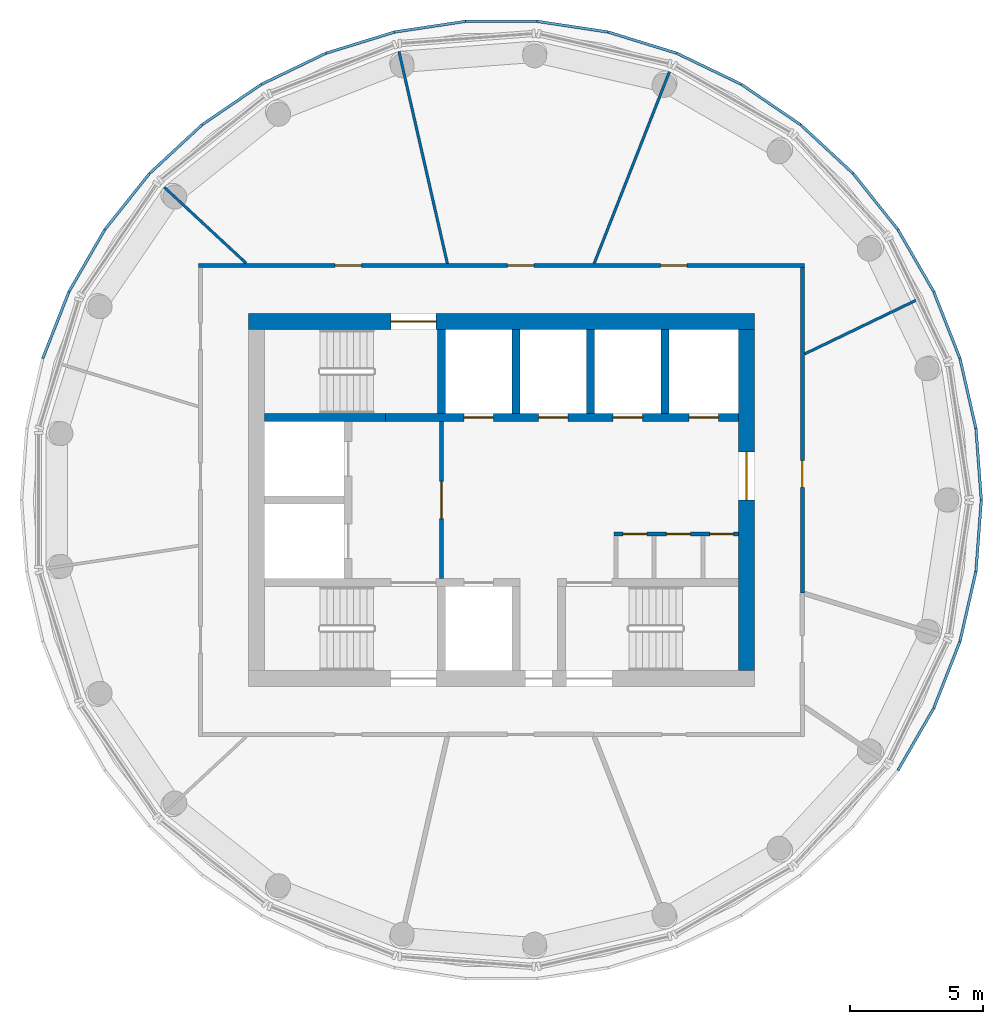
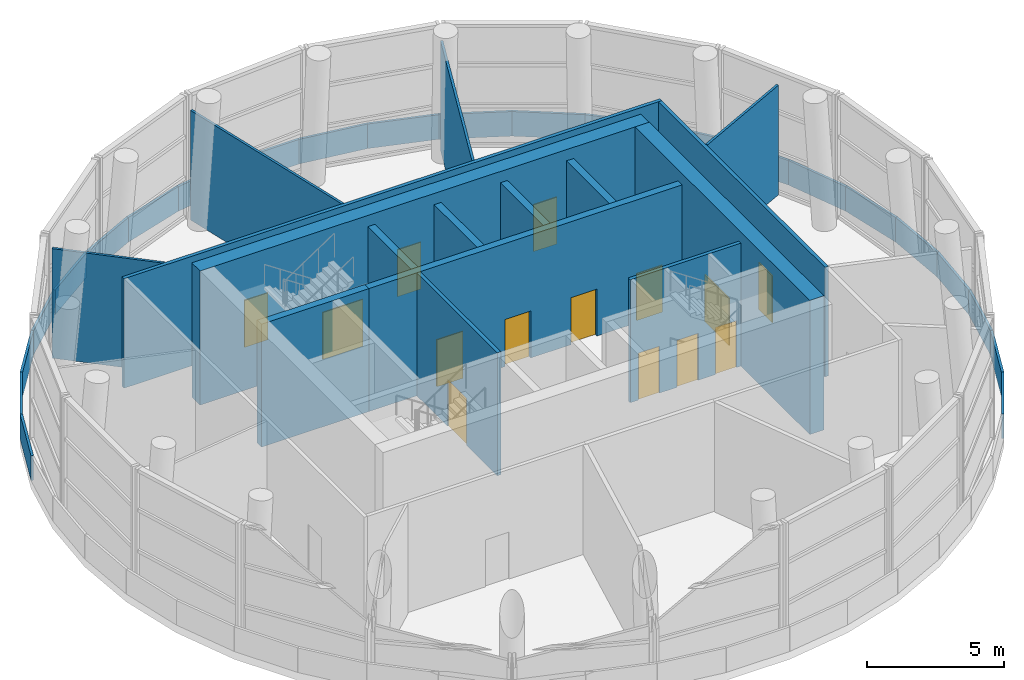
# One storey, part 6 of 10: 39 walls, 14 doors, 14 openings.
"""IFC4 building model written with IfcOpenShell, lengths in metres."""

from ifc_helpers import new_model, si_unit, direction, frame, frame_2d, origin, place, context, subcontext, project, spatial, rectangle, extrude, material, layer, layer_set, type_object, element, fill, save


model = new_model("IFC4")

# Units and contexts
model_context = context("Model", 3, precision=1e-05, world=origin(), true_north=direction((0.0, 1.0)))
body_context = subcontext(model_context, "Body", "Model", "MODEL_VIEW")
ifc_project = project(units=[si_unit("LENGTHUNIT", "METRE"), si_unit("AREAUNIT", "SQUARE_METRE"), si_unit("VOLUMEUNIT", "CUBIC_METRE"), si_unit("PLANEANGLEUNIT", "RADIAN"), si_unit("MASSUNIT", "GRAM", prefix="KILO")], contexts=[model_context])

# Site, building, storey
site_placement = place(None, origin())
site = spatial("IfcSite", under=ifc_project, at=site_placement, CompositionType="ELEMENT")
building_placement = place(site_placement, origin())
building = spatial("IfcBuilding", under=site, at=building_placement, Name="Tracery Tower", CompositionType="ELEMENT")
storey_placement = place(building_placement, frame((0.0, 0.0, 352.199951171875)))
storey = spatial("IfcBuildingStorey", under=building, at=storey_placement, Name="L90", CompositionType="ELEMENT", Elevation=352.199951171875)

# Wall, opening, door
ifc_material_1 = material(Name="Plasterboard on steel studs", Category="steel")
ifc_layer_1 = layer(ifc_material_1, 0.14990234375)
ifc_layer_set_1 = layer_set([ifc_layer_1], Name="Core lobby partition 150")
wall_type_1 = type_object("IfcWallType", Name="Core lobby partition 150", PredefinedType="SOLIDWALL", material=ifc_layer_set_1)
wall_1_placement = place(storey_placement, frame((-2.25, -2.949951171875, 0.0), z_axis=(0.0, 0.0, 1.0), x_axis=(0.0, 1.0, 0.0)))
wall_1 = element("IfcWall", 1, at=wall_1_placement, inside=storey, type_object=wall_type_1, Name="L90 FF lobby E", PredefinedType="SOLIDWALL", context=body_context, shape_type="SweptSolid", body=[
    extrude(rectangle(XDim=5.89990234375, YDim=0.14990234375, at=frame_2d((2.949951171875, 0.0))), origin(), (0.0, 0.0, 1.0), 5.5),
])
opening_1_placement = place(wall_1_placement, frame((2.25, 0.0, 0.0)))
opening_1 = element("IfcOpeningElement", 2, at=opening_1_placement, cuts=wall_1, Name="Opening KD8", PredefinedType="OPENING", context=body_context, shape_type="SweptSolid", body=[
    extrude(rectangle(XDim=1.39990234375, YDim=2.10009765625, at=frame_2d((0.699951171875, 1.050048828125))), frame((0.0, 0.074951171875, 0.0), z_axis=(0.0, -1.0, 0.0), x_axis=(1.0, 0.0, 0.0)), (0.0, 0.0, 1.0), 0.14990234375),
])
ifc_material_2 = material(Name="Steel fire door", Category="steel")
door_type_1 = type_object("IfcDoorType", Name="Core lobby door 1400 double", OperationType="NOTDEFINED", PredefinedType="DOOR", material=ifc_material_2)
door_1_placement = place(opening_1_placement, origin())
door_1 = element("IfcDoor", 3, at=door_1_placement, inside=storey, type_object=door_type_1, Name="Fire-fighting lobby door", OperationType="DOUBLE_DOOR_SINGLE_SWING", OverallHeight=2.10009765625, OverallWidth=1.39990234375, PredefinedType="DOOR", context=body_context, shape_type="SweptSolid", body=[
    extrude(rectangle(XDim=1.39990234375, YDim=2.10009765625, at=frame_2d((0.699951171875, 1.050048828125))), frame((0.0, 0.02490234375, 0.0), z_axis=(0.0, -1.0, 0.0), x_axis=(1.0, 0.0, 0.0)), (0.0, 0.0, 1.0), 0.050048828125),
])
fill(opening_1, door_1)

# Wall, openings, doors
ifc_material_3 = material(Name="Plasterboard on steel studs", Category="steel")
ifc_layer_2 = layer(ifc_material_3, 0.14990234375)
ifc_layer_set_2 = layer_set([ifc_layer_2], Name="Core room partition 150")
wall_type_2 = type_object("IfcWallType", Name="Core room partition 150", PredefinedType="SOLIDWALL", material=ifc_layer_set_2)
wall_2_placement = place(storey_placement, frame((4.22509765625, -1.27490234375, 0.0), z_axis=(0.0, 0.0, 1.0), x_axis=(1.0, 0.0, 0.0)))
wall_2 = element("IfcWall", 4, at=wall_2_placement, inside=storey, type_object=wall_type_2, Name="L90 slot N", PredefinedType="SOLIDWALL", context=body_context, shape_type="SweptSolid", body=[
    extrude(rectangle(XDim=4.6748046875, YDim=0.14990234375, at=frame_2d((2.33740234375, 0.0))), origin(), (0.0, 0.0, 1.0), 5.5),
])
opening_2_placement = place(wall_2_placement, frame((0.33740234375, 0.0, 0.0)))
opening_2 = element("IfcOpeningElement", 5, at=opening_2_placement, cuts=wall_2, Name="Opening KD27", PredefinedType="OPENING", context=body_context, shape_type="SweptSolid", body=[
    extrude(rectangle(XDim=0.89990234375, YDim=2.10009765625, at=frame_2d((0.449951171875, 1.050048828125))), frame((0.0, 0.074951171875, 0.0), z_axis=(0.0, -1.0, 0.0), x_axis=(1.0, 0.0, 0.0)), (0.0, 0.0, 1.0), 0.14990234375),
])
opening_3_placement = place(wall_2_placement, frame((1.97509765625, 0.0, 0.0)))
opening_3 = element("IfcOpeningElement", 6, at=opening_3_placement, cuts=wall_2, Name="Opening KD21", PredefinedType="OPENING", context=body_context, shape_type="SweptSolid", body=[
    extrude(rectangle(XDim=0.89990234375, YDim=2.10009765625, at=frame_2d((0.449951171875, 1.050048828125))), frame((0.0, 0.074951171875, 0.0), z_axis=(0.0, -1.0, 0.0), x_axis=(1.0, 0.0, 0.0)), (0.0, 0.0, 1.0), 0.14990234375),
])
opening_4_placement = place(wall_2_placement, frame((3.60009765625, 0.0, 0.0)))
opening_4 = element("IfcOpeningElement", 7, at=opening_4_placement, cuts=wall_2, Name="Opening KD27", PredefinedType="OPENING", context=body_context, shape_type="SweptSolid", body=[
    extrude(rectangle(XDim=0.89990234375, YDim=2.10009765625, at=frame_2d((0.449951171875, 1.050048828125))), frame((0.0, 0.074951171875, 0.0), z_axis=(0.0, -1.0, 0.0), x_axis=(1.0, 0.0, 0.0)), (0.0, 0.0, 1.0), 0.14990234375),
])
ifc_material_4 = material(Name="Timber door leaf", Category="wood")
door_type_2 = type_object("IfcDoorType", Name="Core WC door 900", OperationType="NOTDEFINED", PredefinedType="DOOR", material=ifc_material_4)
door_2_placement = place(opening_3_placement, origin())
door_2 = element("IfcDoor", 8, at=door_2_placement, inside=storey, type_object=door_type_2, Name="Core door", OperationType="SINGLE_SWING_LEFT", OverallHeight=2.10009765625, OverallWidth=0.89990234375, PredefinedType="DOOR", context=body_context, shape_type="SweptSolid", body=[
    extrude(rectangle(XDim=0.89990234375, YDim=2.10009765625, at=frame_2d((0.449951171875, 1.050048828125))), frame((0.0, 0.02490234375, 0.0), z_axis=(0.0, -1.0, 0.0), x_axis=(1.0, 0.0, 0.0)), (0.0, 0.0, 1.0), 0.050048828125),
])
fill(opening_3, door_2)
ifc_material_5 = material(Name="Timber door leaf", Category="wood")
door_type_3 = type_object("IfcDoorType", Name="Core store door 900", OperationType="NOTDEFINED", PredefinedType="DOOR", material=ifc_material_5)
door_3_placement = place(opening_2_placement, origin())
door_3 = element("IfcDoor", 9, at=door_3_placement, inside=storey, type_object=door_type_3, Name="Core door", OperationType="SINGLE_SWING_RIGHT", OverallHeight=2.10009765625, OverallWidth=0.89990234375, PredefinedType="DOOR", context=body_context, shape_type="SweptSolid", body=[
    extrude(rectangle(XDim=0.89990234375, YDim=2.10009765625, at=frame_2d((0.449951171875, 1.050048828125))), frame((0.0, 0.02490234375, 0.0), z_axis=(0.0, -1.0, 0.0), x_axis=(1.0, 0.0, 0.0)), (0.0, 0.0, 1.0), 0.050048828125),
])
fill(opening_2, door_3)
door_4_placement = place(opening_4_placement, origin())
door_4 = element("IfcDoor", 10, at=door_4_placement, inside=storey, type_object=door_type_3, Name="Core door", OperationType="SINGLE_SWING_RIGHT", OverallHeight=2.10009765625, OverallWidth=0.89990234375, PredefinedType="DOOR", context=body_context, shape_type="SweptSolid", body=[
    extrude(rectangle(XDim=0.89990234375, YDim=2.10009765625, at=frame_2d((0.449951171875, 1.050048828125))), frame((0.0, 0.02490234375, 0.0), z_axis=(0.0, -1.0, 0.0), x_axis=(1.0, 0.0, 0.0)), (0.0, 0.0, 1.0), 0.050048828125),
])
fill(opening_4, door_4)

# Wall, opening, door
ifc_material_6 = material(Name="Concrete C40/50", Category="concrete")
ifc_layer_3 = layer(ifc_material_6, 0.60009765625)
ifc_layer_set_3 = layer_set([ifc_layer_3], Name="Core wall 600 C40")
wall_type_3 = type_object("IfcWallType", Name="Core wall 600 C40", PredefinedType="SOLIDWALL", material=ifc_layer_set_3)
wall_3_placement = place(storey_placement, frame((-9.5, 6.699951171875, 0.0), z_axis=(0.0, 0.0, 1.0), x_axis=(1.0, 0.0, 0.0)))
wall_3 = element("IfcWall", 11, at=wall_3_placement, inside=storey, type_object=wall_type_3, Name="L90 outer N", PredefinedType="SOLIDWALL", context=body_context, shape_type="SweptSolid", body=[
    extrude(rectangle(XDim=19.0, YDim=0.60009765625, at=frame_2d((9.5, 0.0))), origin(), (0.0, 0.0, 1.0), 6.0),
])
opening_5_placement = place(wall_3_placement, frame((5.35009765625, 0.0, 0.0)))
opening_5 = element("IfcOpeningElement", 12, at=opening_5_placement, cuts=wall_3, Name="Opening KD3", PredefinedType="OPENING", context=body_context, shape_type="SweptSolid", body=[
    extrude(rectangle(XDim=1.699951171875, YDim=2.10009765625, at=frame_2d((0.85009765625, 1.050048828125))), frame((0.0, 0.300048828125, 0.0), z_axis=(0.0, -1.0, 0.0), x_axis=(1.0, 0.0, 0.0)), (0.0, 0.0, 1.0), 0.60009765625),
])
ifc_material_7 = material(Name="Steel fire door", Category="steel")
door_type_4 = type_object("IfcDoorType", Name="Core stair door 1700 double", OperationType="NOTDEFINED", PredefinedType="DOOR", material=ifc_material_7)
door_5_placement = place(opening_5_placement, origin())
door_5 = element("IfcDoor", 13, at=door_5_placement, inside=storey, type_object=door_type_4, Name="Stair door ST3 exit", OperationType="DOUBLE_DOOR_SINGLE_SWING", OverallHeight=2.10009765625, OverallWidth=1.699951171875, PredefinedType="DOOR", context=body_context, shape_type="SweptSolid", body=[
    extrude(rectangle(XDim=1.699951171875, YDim=2.10009765625, at=frame_2d((0.85009765625, 1.050048828125))), frame((0.0, 0.02490234375, 0.0), z_axis=(0.0, -1.0, 0.0), x_axis=(1.0, 0.0, 0.0)), (0.0, 0.0, 1.0), 0.050048828125),
])
fill(opening_5, door_5)

wall_4_placement = place(storey_placement, frame((9.199951171875, -6.39990234375, 0.0), z_axis=(0.0, 0.0, 1.0), x_axis=(0.0, 1.0, 0.0)))
wall_4 = element("IfcWall", 14, at=wall_4_placement, inside=storey, type_object=wall_type_3, Name="L90 outer E", PredefinedType="SOLIDWALL", context=body_context, shape_type="SweptSolid", body=[
    extrude(rectangle(XDim=12.7998046875, YDim=0.60009765625, at=frame_2d((6.39990234375, 0.0))), origin(), (0.0, 0.0, 1.0), 6.0),
])
opening_6_placement = place(wall_4_placement, frame((6.39990234375, 0.0, 0.0)))
opening_6 = element("IfcOpeningElement", 15, at=opening_6_placement, cuts=wall_4, Name="Opening KD13", PredefinedType="OPENING", context=body_context, shape_type="SweptSolid", body=[
    extrude(rectangle(XDim=1.800048828125, YDim=2.10009765625, at=frame_2d((0.89990234375, 1.050048828125))), frame((0.0, 0.300048828125, 0.0), z_axis=(0.0, -1.0, 0.0), x_axis=(1.0, 0.0, 0.0)), (0.0, 0.0, 1.0), 0.60009765625),
])
ifc_material_8 = material(Name="Steel fire door", Category="steel")
door_type_5 = type_object("IfcDoorType", Name="Core exit door 1800 double", OperationType="NOTDEFINED", PredefinedType="DOOR", material=ifc_material_8)
door_6_placement = place(opening_6_placement, origin())
door_6 = element("IfcDoor", 16, at=door_6_placement, inside=storey, type_object=door_type_5, Name="Core exit door", OperationType="DOUBLE_DOOR_SINGLE_SWING", OverallHeight=2.10009765625, OverallWidth=1.800048828125, PredefinedType="DOOR", context=body_context, shape_type="SweptSolid", body=[
    extrude(rectangle(XDim=1.800048828125, YDim=2.10009765625, at=frame_2d((0.89990234375, 1.050048828125))), frame((0.0, 0.02490234375, 0.0), z_axis=(0.0, -1.0, 0.0), x_axis=(1.0, 0.0, 0.0)), (0.0, 0.0, 1.0), 0.050048828125),
])
fill(opening_6, door_6)

ifc_material_9 = material(Name="Plasterboard on steel studs", Category="steel")
ifc_layer_4 = layer(ifc_material_9, 0.14990234375)
ifc_layer_set_4 = layer_set([ifc_layer_4], Name="Corridor partition 150")
wall_type_4 = type_object("IfcWallType", Name="Corridor partition 150", PredefinedType="PARTITIONING", material=ifc_layer_set_4)
wall_5_placement = place(storey_placement, frame((11.300048828125, 8.72509765625, 0.0), z_axis=(0.0, 0.0, 1.0), x_axis=(0.0, -1.0, 0.0)))
wall_5 = element("IfcWall", 17, at=wall_5_placement, inside=storey, type_object=wall_type_4, Name="Corridor partition 150", PredefinedType="PARTITIONING", context=body_context, shape_type="SweptSolid", body=[
    extrude(rectangle(XDim=12.210693359375, YDim=0.14990234375, at=frame_2d((6.10546875, 0.0))), origin(), (0.0, 0.0, 1.0), 4.900146484375),
])
opening_7_placement = place(wall_5_placement, frame((7.246826171875, 0.0, 0.0)))
opening_7 = element("IfcOpeningElement", 18, at=opening_7_placement, cuts=wall_5, Name="Opening SB-L90-11", PredefinedType="OPENING", context=body_context, shape_type="SweptSolid", body=[
    extrude(rectangle(XDim=1.0, YDim=2.10009765625, at=frame_2d((0.5, 1.050048828125))), frame((0.0, 0.074951171875, 0.0), z_axis=(0.0, -1.0, 0.0), x_axis=(1.0, 0.0, 0.0)), (0.0, 0.0, 1.0), 0.14990234375),
])
ifc_material_10 = material(Name="Timber door leaf", Category="wood")
door_type_6 = type_object("IfcDoorType", Name="Public room door 1000", OperationType="NOTDEFINED", PredefinedType="DOOR", material=ifc_material_10)
door_7_placement = place(opening_7_placement, origin())
door_7 = element("IfcDoor", 19, at=door_7_placement, inside=storey, type_object=door_type_6, Name="Public room door 1000", OperationType="SINGLE_SWING_RIGHT", OverallHeight=2.10009765625, OverallWidth=1.0, PredefinedType="DOOR", context=body_context, shape_type="SweptSolid", body=[
    extrude(rectangle(XDim=1.0, YDim=2.10009765625, at=frame_2d((0.5, 1.050048828125))), frame((0.0, 0.02490234375, 0.0), z_axis=(0.0, -1.0, 0.0), x_axis=(1.0, 0.0, 0.0)), (0.0, 0.0, 1.0), 0.050048828125),
])
fill(opening_7, door_7)

# Wall, openings, doors
wall_6_placement = place(storey_placement, frame((-11.375, 8.800048828125, 0.0), z_axis=(0.0, 0.0, 1.0), x_axis=(1.0, 0.0, 0.0)))
wall_6 = element("IfcWall", 20, at=wall_6_placement, inside=storey, type_object=wall_type_4, Name="Corridor partition 150", PredefinedType="PARTITIONING", context=body_context, shape_type="SweptSolid", body=[
    extrude(rectangle(XDim=22.75, YDim=0.14990234375, at=frame_2d((11.375, 0.0))), origin(), (0.0, 0.0, 1.0), 4.900146484375),
])
opening_8_placement = place(wall_6_placement, frame((17.351806640625, 0.0, 0.0)))
opening_8 = element("IfcOpeningElement", 21, at=opening_8_placement, cuts=wall_6, Name="Opening SB-L90-01", PredefinedType="OPENING", context=body_context, shape_type="SweptSolid", body=[
    extrude(rectangle(XDim=1.0, YDim=2.10009765625, at=frame_2d((0.5, 1.050048828125))), frame((0.0, 0.074951171875, 0.0), z_axis=(0.0, -1.0, 0.0), x_axis=(1.0, 0.0, 0.0)), (0.0, 0.0, 1.0), 0.14990234375),
])
opening_9_placement = place(wall_6_placement, frame((11.59765625, 0.0, 0.0)))
opening_9 = element("IfcOpeningElement", 22, at=opening_9_placement, cuts=wall_6, Name="Opening SB-L90-02", PredefinedType="OPENING", context=body_context, shape_type="SweptSolid", body=[
    extrude(rectangle(XDim=1.0, YDim=2.10009765625, at=frame_2d((0.5, 1.050048828125))), frame((0.0, 0.074951171875, 0.0), z_axis=(0.0, -1.0, 0.0), x_axis=(1.0, 0.0, 0.0)), (0.0, 0.0, 1.0), 0.14990234375),
])
opening_10_placement = place(wall_6_placement, frame((5.128662109375, 0.0, 0.0)))
opening_10 = element("IfcOpeningElement", 23, at=opening_10_placement, cuts=wall_6, Name="Opening SB-L90-03", PredefinedType="OPENING", context=body_context, shape_type="SweptSolid", body=[
    extrude(rectangle(XDim=1.0, YDim=2.10009765625, at=frame_2d((0.5, 1.050048828125))), frame((0.0, 0.074951171875, 0.0), z_axis=(0.0, -1.0, 0.0), x_axis=(1.0, 0.0, 0.0)), (0.0, 0.0, 1.0), 0.14990234375),
])
door_8_placement = place(opening_8_placement, origin())
door_8 = element("IfcDoor", 24, at=door_8_placement, inside=storey, type_object=door_type_6, Name="Public room door 1000", OperationType="SINGLE_SWING_RIGHT", OverallHeight=2.10009765625, OverallWidth=1.0, PredefinedType="DOOR", context=body_context, shape_type="SweptSolid", body=[
    extrude(rectangle(XDim=1.0, YDim=2.10009765625, at=frame_2d((0.5, 1.050048828125))), frame((0.0, 0.02490234375, 0.0), z_axis=(0.0, -1.0, 0.0), x_axis=(1.0, 0.0, 0.0)), (0.0, 0.0, 1.0), 0.050048828125),
])
fill(opening_8, door_8)
door_9_placement = place(opening_9_placement, origin())
door_9 = element("IfcDoor", 25, at=door_9_placement, inside=storey, type_object=door_type_6, Name="Public room door 1000", OperationType="SINGLE_SWING_RIGHT", OverallHeight=2.10009765625, OverallWidth=1.0, PredefinedType="DOOR", context=body_context, shape_type="SweptSolid", body=[
    extrude(rectangle(XDim=1.0, YDim=2.10009765625, at=frame_2d((0.5, 1.050048828125))), frame((0.0, 0.02490234375, 0.0), z_axis=(0.0, -1.0, 0.0), x_axis=(1.0, 0.0, 0.0)), (0.0, 0.0, 1.0), 0.050048828125),
])
fill(opening_9, door_9)
door_10_placement = place(opening_10_placement, origin())
door_10 = element("IfcDoor", 26, at=door_10_placement, inside=storey, type_object=door_type_6, Name="Public room door 1000", OperationType="SINGLE_SWING_RIGHT", OverallHeight=2.10009765625, OverallWidth=1.0, PredefinedType="DOOR", context=body_context, shape_type="SweptSolid", body=[
    extrude(rectangle(XDim=1.0, YDim=2.10009765625, at=frame_2d((0.5, 1.050048828125))), frame((0.0, 0.02490234375, 0.0), z_axis=(0.0, -1.0, 0.0), x_axis=(1.0, 0.0, 0.0)), (0.0, 0.0, 1.0), 0.050048828125),
])
fill(opening_10, door_10)

# Walls
ifc_material_11 = material(Name="Tinted laminated glass", Category="glass")
ifc_layer_5 = layer(ifc_material_11, 0.10009765625)
ifc_layer_set_5 = layer_set([ifc_layer_5], Name="Crown ledge glass parapet 100")
wall_type_5 = type_object("IfcWallType", Name="Crown ledge glass parapet 100", PredefinedType="PARAPET", material=ifc_layer_set_5)
for number, where, z_axis, x_axis, name in (
    (27, (18.021728515625, 0.004638671875, 0.0), (0.0, 0.0, 1.0), (-0.074762815139, 0.9972013445, 0.0), "Crown ledge glass parapet L90 1"),
    (28, (17.819580078125, 2.690673828125, 0.0), (0.0, 0.0, 1.0), (-0.222474094593, 0.974938601777, 0.0), "Crown ledge glass parapet L90 2"),
    (29, (17.2197265625, 5.31640625, 0.0), (0.0, 0.0, 1.0), (-0.365345635432, 0.930871938921, 0.0), "Crown ledge glass parapet L90 3"),
    (30, (16.23486328125, 7.823486328125, 0.0), (0.0, 0.0, 1.0), (-0.49996389635, 0.866046247233, 0.0), "Crown ledge glass parapet L90 4"),
):
    element("IfcWall", number, at=place(storey_placement, frame(where, z_axis=z_axis, x_axis=x_axis)), inside=storey, type_object=wall_type_5, Name=name, PredefinedType="PARAPET", context=body_context, shape_type="SweptSolid", body=[
        extrude(rectangle(XDim=2.684326171875, YDim=0.10009765625, at=frame_2d((1.34228515625, 0.0))), origin(), (0.0, 0.0, 1.0), 1.10009765625),
    ])
for number, where, z_axis, x_axis, name in (
    (31, (14.8876953125, 10.156005859375, 0.0), (0.0, 0.0, 1.0), (-0.623529623129, 0.781799724405, 0.0), "Crown ledge glass parapet L90 5"),
    (32, (13.20751953125, 12.26123046875, 0.0), (0.0, 0.0, 1.0), (-0.733036416864, 0.680189393883, 0.0), "Crown ledge glass parapet L90 6"),
    (33, (11.232666015625, 14.093017578125, 0.0), (0.0, 0.0, 1.0), (-0.826254282611, 0.5632973109, 0.0), "Crown ledge glass parapet L90 7"),
):
    element("IfcWall", number, at=place(storey_placement, frame(where, z_axis=z_axis, x_axis=x_axis)), inside=storey, type_object=wall_type_5, Name=name, PredefinedType="PARAPET", context=body_context, shape_type="SweptSolid", body=[
        extrude(rectangle(XDim=2.68408203125, YDim=0.10009765625, at=frame_2d((1.342041015625, 0.0))), origin(), (0.0, 0.0, 1.0), 1.10009765625),
    ])
wall_7_placement = place(storey_placement, frame((9.0068359375, 15.609619140625, 0.0), z_axis=(0.0, 0.0, 1.0), x_axis=(-0.900985868767, 0.433848434688, 0.0)))
element("IfcWall", 34, at=wall_7_placement, inside=storey, type_object=wall_type_5, Name="Crown ledge glass parapet L90 8", PredefinedType="PARAPET", context=body_context, shape_type="SweptSolid", body=[
    extrude(rectangle(XDim=2.684326171875, YDim=0.10009765625, at=frame_2d((1.34228515625, 0.0))), origin(), (0.0, 0.0, 1.0), 1.10009765625),
])
for number, where, z_axis, x_axis, name in (
    (35, (6.57958984375, 16.777587890625, 0.0), (0.0, 0.0, 1.0), (-0.955556493352, 0.294808052828, 0.0), "Crown ledge glass parapet L90 9"),
    (36, (4.005615234375, 17.57080078125, 0.0), (0.0, 0.0, 1.0), (-0.988824653634, 0.149083212888, 0.0), "Crown ledge glass parapet L90 10"),
    (37, (1.342041015625, 17.9716796875, 0.0), (0.0, 0.0, 1.0), (-1.0, 0.0, 0.0), "Crown ledge glass parapet L90 11"),
    (38, (-1.3515625, 17.970947265625, 0.0), (0.0, 0.0, 1.0), (-0.988824653634, -0.149083212888, 0.0), "Crown ledge glass parapet L90 12"),
    (39, (-4.014892578125, 17.56884765625, 0.0), (0.0, 0.0, 1.0), (-0.955556493352, -0.294808052828, 0.0), "Crown ledge glass parapet L90 13"),
):
    element("IfcWall", number, at=place(storey_placement, frame(where, z_axis=z_axis, x_axis=x_axis)), inside=storey, type_object=wall_type_5, Name=name, PredefinedType="PARAPET", context=body_context, shape_type="SweptSolid", body=[
        extrude(rectangle(XDim=2.68408203125, YDim=0.10009765625, at=frame_2d((1.342041015625, 0.0))), origin(), (0.0, 0.0, 1.0), 1.10009765625),
    ])
wall_8_placement = place(storey_placement, frame((-6.58837890625, 16.774169921875, 0.0), z_axis=(0.0, 0.0, 1.0), x_axis=(-0.900985868767, -0.433848434688, 0.0)))
element("IfcWall", 40, at=wall_8_placement, inside=storey, type_object=wall_type_5, Name="Crown ledge glass parapet L90 14", PredefinedType="PARAPET", context=body_context, shape_type="SweptSolid", body=[
    extrude(rectangle(XDim=2.684326171875, YDim=0.10009765625, at=frame_2d((1.34228515625, 0.0))), origin(), (0.0, 0.0, 1.0), 1.10009765625),
])
for number, where, z_axis, x_axis, name in (
    (41, (-9.014892578125, 15.60498046875, 0.0), (0.0, 0.0, 1.0), (-0.826254282611, -0.5632973109, 0.0), "Crown ledge glass parapet L90 15"),
    (42, (-11.239990234375, 14.0869140625, 0.0), (0.0, 0.0, 1.0), (-0.733036416864, -0.680189393883, 0.0), "Crown ledge glass parapet L90 16"),
    (43, (-13.214111328125, 12.25439453125, 0.0), (0.0, 0.0, 1.0), (-0.623529623129, -0.781799724405, 0.0), "Crown ledge glass parapet L90 17"),
):
    element("IfcWall", number, at=place(storey_placement, frame(where, z_axis=z_axis, x_axis=x_axis)), inside=storey, type_object=wall_type_5, Name=name, PredefinedType="PARAPET", context=body_context, shape_type="SweptSolid", body=[
        extrude(rectangle(XDim=2.68408203125, YDim=0.10009765625, at=frame_2d((1.342041015625, 0.0))), origin(), (0.0, 0.0, 1.0), 1.10009765625),
    ])
for number, where, z_axis, x_axis, name in (
    (44, (-14.892822265625, 10.148193359375, 0.0), (0.0, 0.0, 1.0), (-0.49996389635, -0.866046247233, 0.0), "Crown ledge glass parapet L90 18"),
    (45, (-16.239013671875, 7.815185546875, 0.0), (0.0, 0.0, 1.0), (-0.365345635432, -0.930871938921, 0.0), "Crown ledge glass parapet L90 19"),
    (46, (14.892822265625, -10.148193359375, 0.0), (0.0, 0.0, 1.0), (0.49996389635, 0.866046247233, 0.0), "Crown ledge glass parapet L90 39"),
    (47, (16.239013671875, -7.815185546875, 0.0), (0.0, 0.0, 1.0), (0.365345635432, 0.930871938921, 0.0), "Crown ledge glass parapet L90 40"),
    (48, (17.222412109375, -5.3076171875, 0.0), (0.0, 0.0, 1.0), (0.222474094593, 0.974938601777, 0.0), "Crown ledge glass parapet L90 41"),
    (49, (17.821044921875, -2.681396484375, 0.0), (0.0, 0.0, 1.0), (0.074762815139, 0.9972013445, 0.0), "Crown ledge glass parapet L90 42"),
):
    element("IfcWall", number, at=place(storey_placement, frame(where, z_axis=z_axis, x_axis=x_axis)), inside=storey, type_object=wall_type_5, Name=name, PredefinedType="PARAPET", context=body_context, shape_type="SweptSolid", body=[
        extrude(rectangle(XDim=2.684326171875, YDim=0.10009765625, at=frame_2d((1.34228515625, 0.0))), origin(), (0.0, 0.0, 1.0), 1.10009765625),
    ])
ifc_material_12 = material(Name="Concrete C40/50", Category="concrete")
ifc_layer_6 = layer(ifc_material_12, 0.300048828125)
ifc_layer_set_6 = layer_set([ifc_layer_6], Name="Shaft wall 300 C40")
wall_type_6 = type_object("IfcWallType", Name="Shaft wall 300 C40", PredefinedType="SOLIDWALL", material=ifc_layer_set_6)
for number, where, z_axis, x_axis, name in (
    (50, (0.550048828125, 3.25, 0.0), (0.0, 0.0, 1.0), (0.0, 1.0, 0.0), "L90 HR sep 1"),
    (51, (3.35009765625, 3.25, 0.0), (0.0, 0.0, 1.0), (0.0, 1.0, 0.0), "L90 HR sep 2"),
    (52, (6.14990234375, 3.25, 0.0), (0.0, 0.0, 1.0), (0.0, 1.0, 0.0), "L90 HR sep 3"),
):
    element("IfcWall", number, at=place(storey_placement, frame(where, z_axis=z_axis, x_axis=x_axis)), inside=storey, type_object=wall_type_6, Name=name, PredefinedType="SOLIDWALL", context=body_context, shape_type="SweptSolid", body=[
        extrude(rectangle(XDim=3.14990234375, YDim=0.300048828125, at=frame_2d((1.574951171875, 0.0))), origin(), (0.0, 0.0, 1.0), 5.5),
    ])
ifc_material_13 = material(Name="Concrete C40/50", Category="concrete")
ifc_layer_7 = layer(ifc_material_13, 0.300048828125)
ifc_layer_set_7 = layer_set([ifc_layer_7], Name="Stair wall 300 C40")
wall_type_7 = type_object("IfcWallType", Name="Stair wall 300 C40", PredefinedType="SOLIDWALL", material=ifc_layer_set_7)
wall_9_placement = place(storey_placement, frame((-8.89990234375, 3.10009765625, 0.0), z_axis=(0.0, 0.0, 1.0), x_axis=(1.0, 0.0, 0.0)))
element("IfcWall", 53, at=wall_9_placement, inside=storey, type_object=wall_type_7, Name="L90 row N W", PredefinedType="SOLIDWALL", context=body_context, shape_type="SweptSolid", body=[
    extrude(rectangle(XDim=4.5498046875, YDim=0.300048828125, at=frame_2d((2.27490234375, 0.0))), origin(), (0.0, 0.0, 1.0), 5.5),
])

# Wall, openings, doors
wall_10_placement = place(storey_placement, frame((-4.35009765625, 3.10009765625, 0.0), z_axis=(0.0, 0.0, 1.0), x_axis=(1.0, 0.0, 0.0)))
wall_10 = element("IfcWall", 54, at=wall_10_placement, inside=storey, type_object=wall_type_7, Name="L90 row N", PredefinedType="SOLIDWALL", context=body_context, shape_type="SweptSolid", body=[
    extrude(rectangle(XDim=13.25, YDim=0.300048828125, at=frame_2d((6.625, 0.0))), origin(), (0.0, 0.0, 1.0), 5.5),
])
opening_11_placement = place(wall_10_placement, frame((2.949951171875, 0.0, 0.0)))
opening_11 = element("IfcOpeningElement", 55, at=opening_11_placement, cuts=wall_10, Name="Opening KD49", PredefinedType="OPENING", context=body_context, shape_type="SweptSolid", body=[
    extrude(rectangle(XDim=1.10009765625, YDim=2.10009765625, at=frame_2d((0.550048828125, 1.050048828125))), frame((0.0, 0.14990234375, 0.0), z_axis=(0.0, -1.0, 0.0), x_axis=(1.0, 0.0, 0.0)), (0.0, 0.0, 1.0), 0.300048828125),
])
opening_12_placement = place(wall_10_placement, frame((5.75, 0.0, 0.0)))
opening_12 = element("IfcOpeningElement", 56, at=opening_12_placement, cuts=wall_10, Name="Opening KD50", PredefinedType="OPENING", context=body_context, shape_type="SweptSolid", body=[
    extrude(rectangle(XDim=1.10009765625, YDim=2.10009765625, at=frame_2d((0.550048828125, 1.050048828125))), frame((0.0, 0.14990234375, 0.0), z_axis=(0.0, -1.0, 0.0), x_axis=(1.0, 0.0, 0.0)), (0.0, 0.0, 1.0), 0.300048828125),
])
opening_13_placement = place(wall_10_placement, frame((8.550048828125, 0.0, 0.0)))
opening_13 = element("IfcOpeningElement", 57, at=opening_13_placement, cuts=wall_10, Name="Opening KD49", PredefinedType="OPENING", context=body_context, shape_type="SweptSolid", body=[
    extrude(rectangle(XDim=1.10009765625, YDim=2.10009765625, at=frame_2d((0.550048828125, 1.050048828125))), frame((0.0, 0.14990234375, 0.0), z_axis=(0.0, -1.0, 0.0), x_axis=(1.0, 0.0, 0.0)), (0.0, 0.0, 1.0), 0.300048828125),
])
opening_14_placement = place(wall_10_placement, frame((11.39990234375, 0.0, 0.0)))
opening_14 = element("IfcOpeningElement", 58, at=opening_14_placement, cuts=wall_10, Name="Opening KD50", PredefinedType="OPENING", context=body_context, shape_type="SweptSolid", body=[
    extrude(rectangle(XDim=1.10009765625, YDim=2.10009765625, at=frame_2d((0.550048828125, 1.050048828125))), frame((0.0, 0.14990234375, 0.0), z_axis=(0.0, -1.0, 0.0), x_axis=(1.0, 0.0, 0.0)), (0.0, 0.0, 1.0), 0.300048828125),
])
ifc_material_14 = material(Name="Steel fire door", Category="steel")
door_type_7 = type_object("IfcDoorType", Name="Landing door 1100", OperationType="NOTDEFINED", PredefinedType="DOOR", material=ifc_material_14)
door_11_placement = place(opening_11_placement, origin())
door_11 = element("IfcDoor", 59, at=door_11_placement, inside=storey, type_object=door_type_7, Name="Landing door HR1", OperationType="SLIDING_TO_LEFT", OverallHeight=2.10009765625, OverallWidth=1.10009765625, PredefinedType="DOOR", context=body_context, shape_type="SweptSolid", body=[
    extrude(rectangle(XDim=1.10009765625, YDim=2.10009765625, at=frame_2d((0.550048828125, 1.050048828125))), frame((0.0, 0.02490234375, 0.0), z_axis=(0.0, -1.0, 0.0), x_axis=(1.0, 0.0, 0.0)), (0.0, 0.0, 1.0), 0.050048828125),
])
fill(opening_11, door_11)
door_12_placement = place(opening_12_placement, origin())
door_12 = element("IfcDoor", 60, at=door_12_placement, inside=storey, type_object=door_type_7, Name="Landing door HR2", OperationType="SLIDING_TO_RIGHT", OverallHeight=2.10009765625, OverallWidth=1.10009765625, PredefinedType="DOOR", context=body_context, shape_type="SweptSolid", body=[
    extrude(rectangle(XDim=1.10009765625, YDim=2.10009765625, at=frame_2d((0.550048828125, 1.050048828125))), frame((0.0, 0.02490234375, 0.0), z_axis=(0.0, -1.0, 0.0), x_axis=(1.0, 0.0, 0.0)), (0.0, 0.0, 1.0), 0.050048828125),
])
fill(opening_12, door_12)
door_13_placement = place(opening_13_placement, origin())
door_13 = element("IfcDoor", 61, at=door_13_placement, inside=storey, type_object=door_type_7, Name="Landing door HR3", OperationType="SLIDING_TO_LEFT", OverallHeight=2.10009765625, OverallWidth=1.10009765625, PredefinedType="DOOR", context=body_context, shape_type="SweptSolid", body=[
    extrude(rectangle(XDim=1.10009765625, YDim=2.10009765625, at=frame_2d((0.550048828125, 1.050048828125))), frame((0.0, 0.02490234375, 0.0), z_axis=(0.0, -1.0, 0.0), x_axis=(1.0, 0.0, 0.0)), (0.0, 0.0, 1.0), 0.050048828125),
])
fill(opening_13, door_13)
door_14_placement = place(opening_14_placement, origin())
door_14 = element("IfcDoor", 62, at=door_14_placement, inside=storey, type_object=door_type_7, Name="Landing door OB1", OperationType="SLIDING_TO_RIGHT", OverallHeight=2.10009765625, OverallWidth=1.10009765625, PredefinedType="DOOR", context=body_context, shape_type="SweptSolid", body=[
    extrude(rectangle(XDim=1.10009765625, YDim=2.10009765625, at=frame_2d((0.550048828125, 1.050048828125))), frame((0.0, 0.02490234375, 0.0), z_axis=(0.0, -1.0, 0.0), x_axis=(1.0, 0.0, 0.0)), (0.0, 0.0, 1.0), 0.050048828125),
])
fill(opening_14, door_14)

# Walls
wall_11_placement = place(storey_placement, frame((-2.25, 3.25, 0.0), z_axis=(0.0, 0.0, 1.0), x_axis=(0.0, 1.0, 0.0)))
element("IfcWall", 63, at=wall_11_placement, inside=storey, type_object=wall_type_7, Name="L90 ST3 E", PredefinedType="SOLIDWALL", context=body_context, shape_type="SweptSolid", body=[
    extrude(rectangle(XDim=3.14990234375, YDim=0.300048828125, at=frame_2d((1.574951171875, 0.0))), origin(), (0.0, 0.0, 1.0), 5.5),
])
ifc_material_15 = material(Name="Plasterboard on steel studs", Category="steel")
ifc_layer_8 = layer(ifc_material_15, 0.10009765625)
ifc_layer_set_8 = layer_set([ifc_layer_8], Name="Stud partition 100")
wall_type_8 = type_object("IfcWallType", Name="Stud partition 100", PredefinedType="PARTITIONING", material=ifc_layer_set_8)
wall_12_placement = place(storey_placement, frame((-12.660888671875, 11.74755859375, 0.0), z_axis=(0.0, 0.0, 1.0), x_axis=(0.733054525597, -0.680169877679, 0.0)))
element("IfcWall", 64, at=wall_12_placement, inside=storey, type_object=wall_type_8, Name="Stud partition 100", PredefinedType="PARTITIONING", context=body_context, shape_type="SweptSolid", body=[
    extrude(rectangle(XDim=4.1962890625, YDim=0.10009765625, at=frame_2d((2.09814453125, 0.0))), origin(), (0.0, 0.0, 1.0), 4.900146484375),
])
wall_13_placement = place(storey_placement, frame((-3.84326171875, 16.83837890625, 0.0), z_axis=(0.0, 0.0, 1.0), x_axis=(0.222532417999, -0.974925290953, 0.0)))
element("IfcWall", 65, at=wall_13_placement, inside=storey, type_object=wall_type_8, Name="Stud partition 100", PredefinedType="PARTITIONING", context=body_context, shape_type="SweptSolid", body=[
    extrude(rectangle(XDim=8.162353515625, YDim=0.10009765625, at=frame_2d((4.0810546875, 0.0))), origin(), (0.0, 0.0, 1.0), 4.900146484375),
])
wall_14_placement = place(storey_placement, frame((6.309814453125, 16.077392578125, 0.0), z_axis=(0.0, 0.0, 1.0), x_axis=(-0.36532000247, -0.930881998857, 0.0)))
element("IfcWall", 66, at=wall_14_placement, inside=storey, type_object=wall_type_8, Name="Stud partition 100", PredefinedType="PARTITIONING", context=body_context, shape_type="SweptSolid", body=[
    extrude(rectangle(XDim=7.7275390625, YDim=0.10009765625, at=frame_2d((3.86376953125, 0.0))), origin(), (0.0, 0.0, 1.0), 4.900146484375),
])
wall_15_placement = place(storey_placement, frame((15.56103515625, 7.493896484375, 0.0), z_axis=(0.0, 0.0, 1.0), x_axis=(-0.900966584628, -0.433888480353, 0.0)))
element("IfcWall", 67, at=wall_15_placement, inside=storey, type_object=wall_type_8, Name="Stud partition 100", PredefinedType="PARTITIONING", context=body_context, shape_type="SweptSolid", body=[
    extrude(rectangle(XDim=4.63427734375, YDim=0.10009765625, at=frame_2d((2.317138671875, 0.0))), origin(), (0.0, 0.0, 1.0), 4.900146484375),
])

save(model, "model.ifc")
